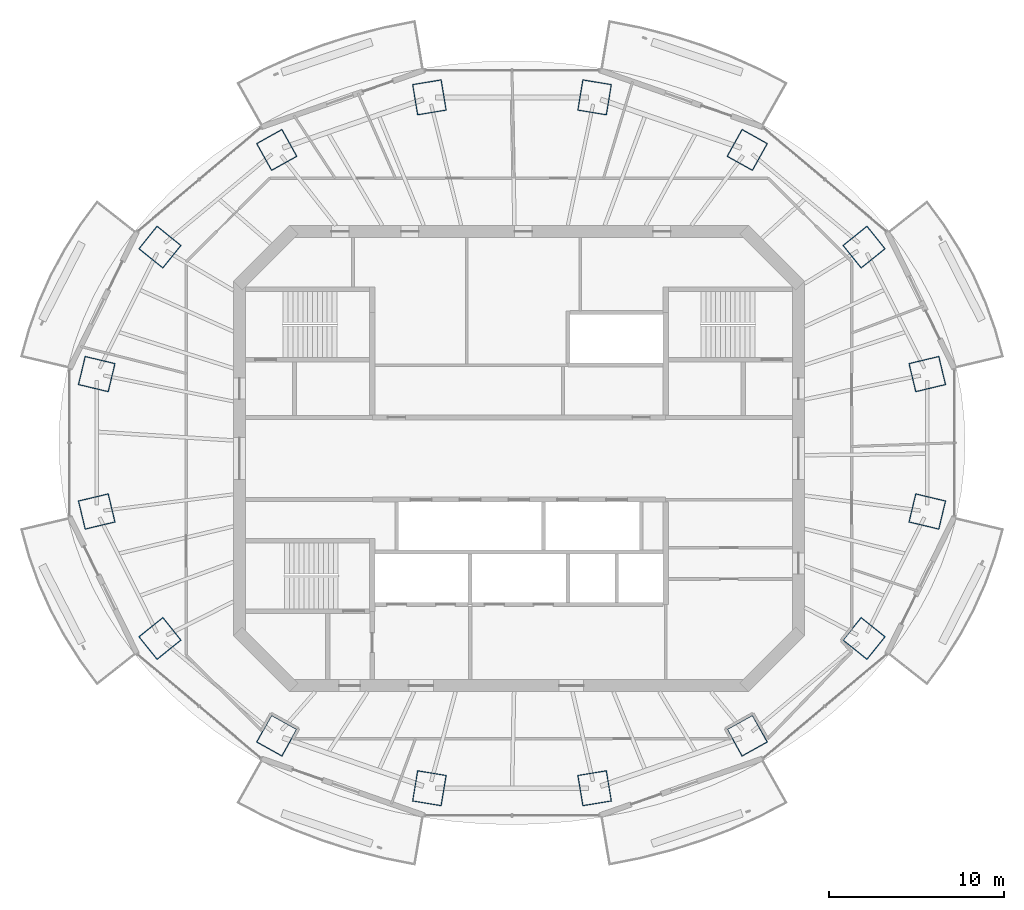
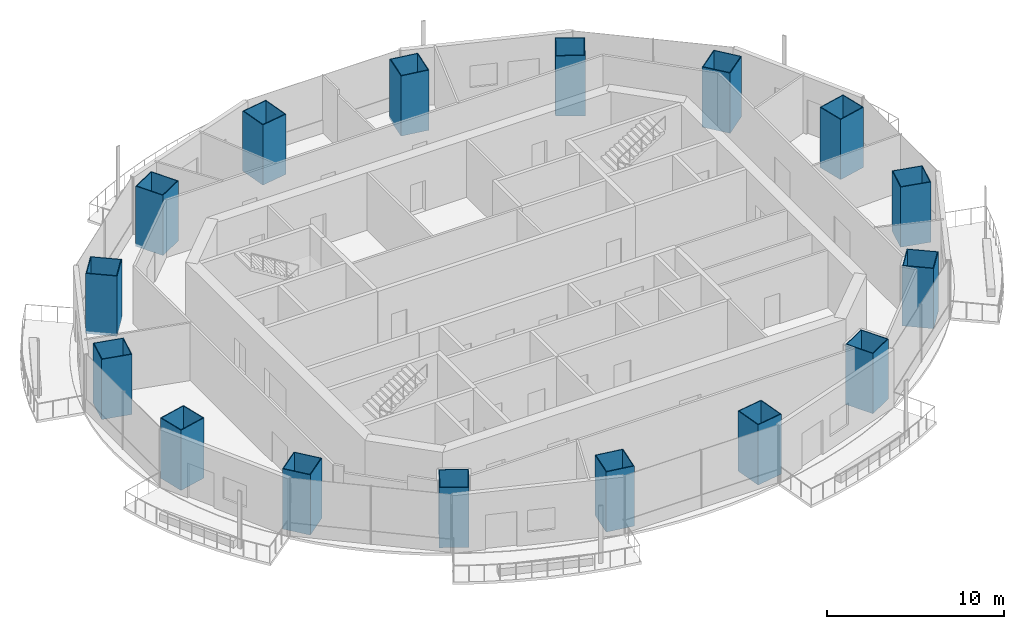
# One storey, part 1 of 16: 16 columns.
"""IFC4 building model written with IfcOpenShell, lengths in metres."""

from ifc_helpers import new_model, si_unit, direction, frame, origin, origin_2d, place, context, subcontext, project, spatial, rectangle, hollow_rectangle, extrude, material, material_profile, profile_set, type_object, element, save


model = new_model("IFC4")

# Units and contexts
model_context = context("Model", 3, precision=1e-05, world=origin(), true_north=direction((0.0, 1.0)))
body_context = subcontext(model_context, "Body", "Model", "MODEL_VIEW")
ifc_project = project(units=[si_unit("LENGTHUNIT", "METRE"), si_unit("AREAUNIT", "SQUARE_METRE"), si_unit("VOLUMEUNIT", "CUBIC_METRE"), si_unit("PLANEANGLEUNIT", "RADIAN"), si_unit("MASSUNIT", "GRAM", prefix="KILO")], contexts=[model_context])

# Site, building, storey
site_placement = place(None, origin())
site = spatial("IfcSite", under=ifc_project, at=site_placement, CompositionType="ELEMENT")
building_placement = place(site_placement, origin())
building = spatial("IfcBuilding", under=site, at=building_placement, Name="Marenthal Gate Tower", CompositionType="ELEMENT")
storey_placement = place(building_placement, frame((0.0, 0.0, 371.64990234375)))
storey = spatial("IfcBuildingStorey", under=building, at=storey_placement, Name="L84", CompositionType="ELEMENT", Elevation=371.64990234375)

# Columns
ifc_material_1 = material(Name="Steel S460", Category="steel")
ifc_material_profile_1 = material_profile(ifc_material_1, hollow_rectangle(XDim=1.699951171875, YDim=1.800048828125, WallThickness=0.050048828125, at=origin_2d()), Name="CFT BOX 1800X1700X50")
ifc_material_2 = material(Name="Concrete 70 MPa", Category="concrete")
ifc_material_profile_2 = material_profile(ifc_material_2, rectangle(XDim=1.60009765625, YDim=1.699951171875, at=origin_2d()), Name="CFT BOX 1800X1700X50 INFILL")
ifc_profile_set = profile_set([ifc_material_profile_1, ifc_material_profile_2], Name="Steel S460 shell, Concrete 70 MPa infill")
column_type = type_object("IfcColumnType", Name="CFT BOX 1800X1700X50", PredefinedType="COLUMN", material=ifc_profile_set)
for number, where, z_axis, x_axis, name in (
    (1, (23.376220703125, 4.833984375, -0.179931640625), (0.0, 0.0, 1.0), (0.232571260253, -0.972579358667, 0.0), "COL-L84-01"),
    (2, (19.756591796875, 12.10302734375, -0.179931640625), (0.0, 0.0, 1.0), (0.626248733812, -0.779623321482, 0.0), "COL-L84-02"),
    (3, (13.068115234375, 17.66650390625, -0.179931640625), (0.0, 0.0, 1.0), (0.874064905917, -0.485809160314, 0.0), "COL-L84-03"),
    (4, (4.329345703125, 20.677490234375, -0.179931640625), (0.0, 0.0, 1.0), (0.986586410729, -0.163239866957, 0.0), "COL-L84-04"),
    (5, (-5.12939453125, 20.677490234375, -0.179931640625), (0.0, 0.0, 1.0), (0.986586410729, 0.163239866957, 0.0), "COL-L84-05"),
    (6, (-13.8681640625, 17.66650390625, -0.179931640625), (0.0, 0.0, 1.0), (0.874064905917, 0.485809160314, 0.0), "COL-L84-06"),
    (7, (-20.556396484375, 12.10302734375, -0.179931640625), (0.0, 0.0, 1.0), (0.626248733812, 0.779623321482, 0.0), "COL-L84-07"),
    (8, (-24.17626953125, 4.833984375, -0.179931640625), (0.0, 0.0, 1.0), (0.232571260253, 0.972579358667, 0.0), "COL-L84-08"),
    (9, (-24.17626953125, -3.033935546875, -0.179931640625), (0.0, 0.0, 1.0), (-0.232571260253, 0.972579358667, 0.0), "COL-L84-09"),
    (10, (-20.556396484375, -10.302978515625, -0.179931640625), (0.0, 0.0, 1.0), (-0.626248733812, 0.779623321482, 0.0), "COL-L84-10"),
    (11, (-13.8681640625, -15.86669921875, -0.179931640625), (0.0, 0.0, 1.0), (-0.874064905917, 0.485809160314, 0.0), "COL-L84-11"),
    (12, (-5.12939453125, -18.87744140625, -0.179931640625), (0.0, 0.0, 1.0), (-0.986586410729, 0.163239866957, 0.0), "COL-L84-12"),
    (13, (4.329345703125, -18.87744140625, -0.179931640625), (0.0, 0.0, 1.0), (-0.986586410729, -0.163239866957, 0.0), "COL-L84-13"),
    (14, (13.068115234375, -15.86669921875, -0.179931640625), (0.0, 0.0, 1.0), (-0.874064905917, -0.485809160314, 0.0), "COL-L84-14"),
    (15, (19.756591796875, -10.302978515625, -0.179931640625), (0.0, 0.0, 1.0), (-0.626248733812, -0.779623321482, 0.0), "COL-L84-15"),
    (16, (23.376220703125, -3.033935546875, -0.179931640625), (0.0, 0.0, 1.0), (-0.232571260253, -0.972579358667, 0.0), "COL-L84-16"),
):
    element("IfcColumn", number, at=place(storey_placement, frame(where, z_axis=z_axis, x_axis=x_axis)), inside=storey, type_object=column_type, Name=name, PredefinedType="COLUMN", context=body_context, shape_type="SweptSolid", body=[
        extrude(hollow_rectangle(XDim=1.699951171875, YDim=1.800048828125, WallThickness=0.050048828125, at=origin_2d()), origin(), (0.0, 0.0, 1.0), 4.150146484375),
    ])

save(model, "model.ifc")
